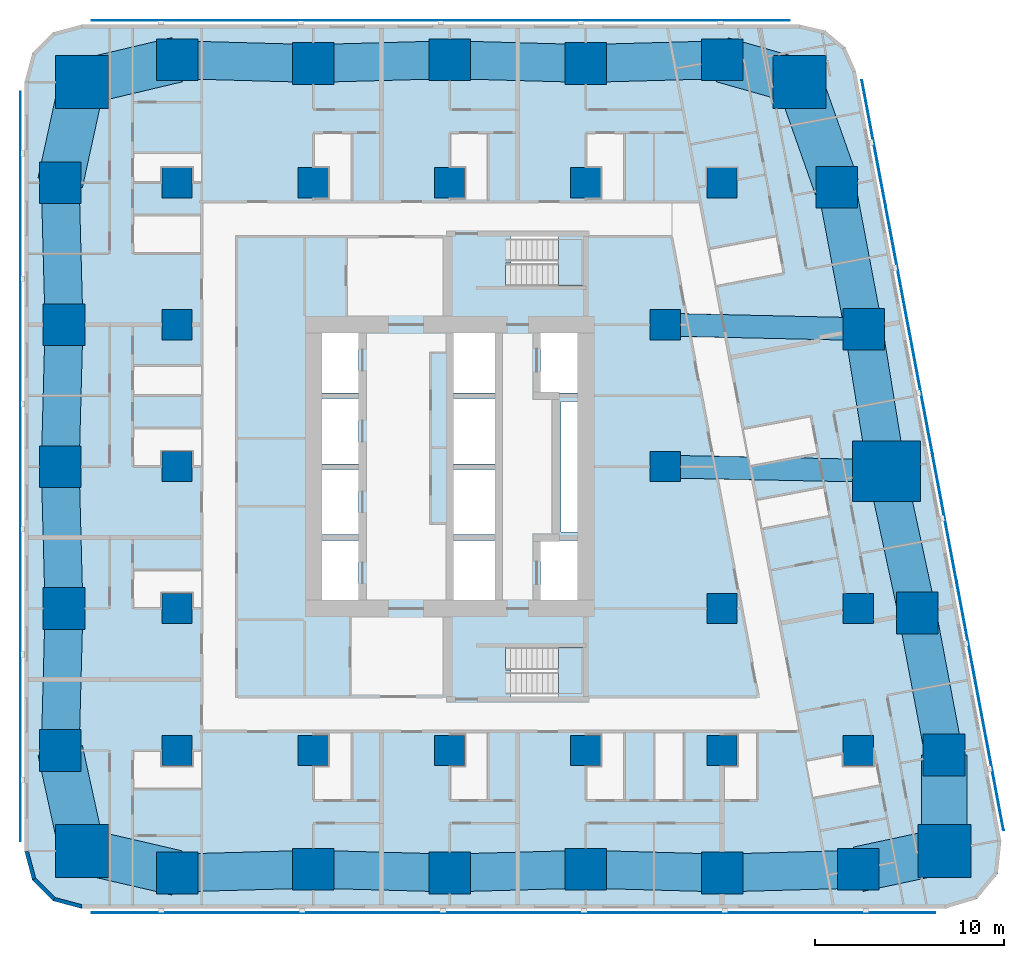
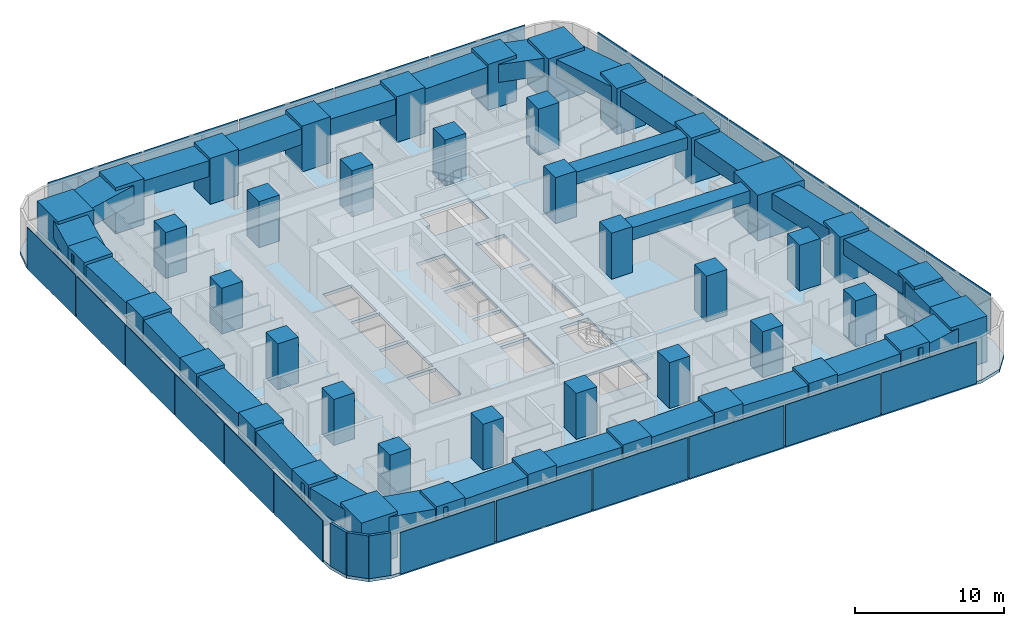
# One storey, part 1 of 16: 43 columns, 27 beams, 23 plates, 3 slabs, 3 walls, 2 elements without a shape of their own.
"""IFC4 building model written with IfcOpenShell, lengths in metres."""

import ifcopenshell
import ifcopenshell.guid

model = None  # the IFC model being written
_history = None  # IfcOwnerHistory: only IFC2X3 demands one
_inside = {}  # id of a spatial element -> (the spatial element, [elements in it])
_under = {}  # id of a project, library or spatial element -> (it, [spatial elements below it])
_declared = {}  # id of a project -> (the project, [libraries it declares])
_typed = {}  # id of a type object -> (the type object, [elements of that type])
_made_of = {}  # id of a material, layer set ... -> (it, [elements and type objects made of it])


def new_model(schema):
    """Start an empty IFC model of exactly this schema.

    Asked for "IFC4X3", IfcOpenShell would pick the latest addendum, in which some entities
    have other attributes; the version numbers below select the first issue.
    IFC2X3 requires an IfcOwnerHistory on every rooted entity: one is made here for all.
    """
    global model, _history
    if schema == "IFC4X3":
        model = ifcopenshell.file(schema_version=(4, 3, 0, 0))
    else:
        model = ifcopenshell.file(schema=schema)
    _inside.clear()
    _under.clear()
    _declared.clear()
    _typed.clear()
    _made_of.clear()
    _history = None
    if model.schema == "IFC2X3":
        org = make("IfcOrganization", Name="unknown")
        user = make(
            "IfcPersonAndOrganization",
            ThePerson=make("IfcPerson", FamilyName="unknown"),
            TheOrganization=org,
        )
        app = make(
            "IfcApplication",
            ApplicationDeveloper=org,
            Version="unknown",
            ApplicationFullName="unknown",
            ApplicationIdentifier="unknown",
        )
        _history = make(
            "IfcOwnerHistory",
            OwningUser=user,
            OwningApplication=app,
            ChangeAction="ADDED",
            CreationDate=0,
        )
    return model


def make(cls, **values):
    """One entity of the class cls with the attributes given. An attribute that is None is left unset."""
    return model.create_entity(
        cls, **{name: value for name, value in values.items() if value is not None}
    )


def rooted(cls, **values):
    """An entity with a GlobalId (a new one), such as an element, a storey or a relation."""
    return make(cls, GlobalId=ifcopenshell.guid.new(), OwnerHistory=_history, **values)


def si_unit(unit_type, name, prefix=None):
    """IfcSIUnit, for example si_unit("LENGTHUNIT", "METRE", prefix="MILLI")."""
    return make("IfcSIUnit", UnitType=unit_type, Prefix=prefix, Name=name)


def assignment(units):
    """IfcUnitAssignment: the units of a project."""
    return None if units is None else make("IfcUnitAssignment", Units=units)


def point(xyz):
    """IfcCartesianPoint."""
    return None if xyz is None else make("IfcCartesianPoint", Coordinates=xyz)


def direction(xyz):
    """IfcDirection."""
    return None if xyz is None else make("IfcDirection", DirectionRatios=xyz)


def frame(location, z_axis=None, x_axis=None):
    """IfcAxis2Placement3D, a coordinate frame: its origin and axes. An axis left out is left unset."""
    return make(
        "IfcAxis2Placement3D",
        Location=point(location),
        Axis=direction(z_axis),
        RefDirection=direction(x_axis),
    )


def frame_2d(location, x_axis=None):
    """IfcAxis2Placement2D, a coordinate frame in the plane: its origin and x axis."""
    return make(
        "IfcAxis2Placement2D", Location=point(location), RefDirection=direction(x_axis)
    )


def origin():
    """The frame at (0, 0, 0) with its axes left unset."""
    return frame((0.0, 0.0, 0.0))


def origin_2d():
    """The frame at (0, 0) in the plane with its x axis left unset."""
    return frame_2d((0.0, 0.0))


def place(relative_to, where):
    """IfcLocalPlacement: puts the frame where relative to a parent placement (None: the world)."""
    return make(
        "IfcLocalPlacement", PlacementRelTo=relative_to, RelativePlacement=where
    )


def context(
    kind, dimensions, precision=None, world=None, true_north=None, identifier=None
):
    """IfcGeometricRepresentationContext, for example the 3D "Model" context."""
    return make(
        "IfcGeometricRepresentationContext",
        ContextIdentifier=identifier,
        ContextType=kind,
        CoordinateSpaceDimension=dimensions,
        Precision=precision,
        WorldCoordinateSystem=world,
        TrueNorth=true_north,
    )


def subcontext(parent, identifier, kind, view, scale=None):
    """IfcGeometricRepresentationSubContext, for example "Body" below "Model"."""
    return make(
        "IfcGeometricRepresentationSubContext",
        ContextIdentifier=identifier,
        ContextType=kind,
        ParentContext=parent,
        TargetScale=scale,
        TargetView=view,
    )


def project(units=None, contexts=None):
    """IfcProject with its units and contexts."""
    return rooted(
        "IfcProject",
        Name="project",
        RepresentationContexts=contexts,
        UnitsInContext=assignment(units),
    )


def spatial(cls, under=None, at=None, **own):
    """A site, building, storey or space (cls), placed at a placement, below another one or the project."""
    s = rooted(cls, ObjectPlacement=at, **own)
    if under is not None:
        _under.setdefault(under.id(), (under, []))[1].append(s)
    return s


def polyline(points):
    """IfcPolyline through the points."""
    return make("IfcPolyline", Points=[point(p) for p in points])


def profile(cls, at=None, kind="AREA", **sizes):
    """A parametric profile (cls). Its sizes go by their IFC names, for example OverallWidth=200.0."""
    return make(cls, ProfileType=kind, Position=at, **sizes)


def rectangle(**sizes):
    """IfcRectangleProfileDef."""
    return profile("IfcRectangleProfileDef", **sizes)


def outline(outer, holes=None, kind="AREA"):
    """IfcArbitraryClosedProfileDef: a profile drawn as a closed curve; with holes, ...WithVoids."""
    if holes is None:
        return make("IfcArbitraryClosedProfileDef", ProfileType=kind, OuterCurve=outer)
    return make(
        "IfcArbitraryProfileDefWithVoids",
        ProfileType=kind,
        OuterCurve=outer,
        InnerCurves=holes,
    )


def extrude(swept, where, along, depth):
    """IfcExtrudedAreaSolid: the profile swept, set in the frame where, extruded along a direction by depth."""
    return make(
        "IfcExtrudedAreaSolid",
        SweptArea=swept,
        Position=where,
        ExtrudedDirection=direction(along),
        Depth=depth,
    )


def shape(context_of_items, identifier, shape_type, items):
    """IfcShapeRepresentation: the items that make up one representation, for example the "Body"."""
    return make(
        "IfcShapeRepresentation",
        ContextOfItems=context_of_items,
        RepresentationIdentifier=identifier,
        RepresentationType=shape_type,
        Items=items,
    )


def material(Name=None, Category=None):
    """IfcMaterial."""
    return make("IfcMaterial", Name=Name, Category=Category)


def layer(
    of_material, thickness, ventilated=None, Name=None, Category=None, Priority=None
):
    """IfcMaterialLayer: one layer of a wall or slab, of a material (None: an air gap)."""
    return make(
        "IfcMaterialLayer",
        Material=of_material,
        LayerThickness=thickness,
        IsVentilated=ventilated,
        Name=Name,
        Category=Category,
        Priority=Priority,
    )


def layer_set(layers, Name=None):
    """IfcMaterialLayerSet."""
    return make("IfcMaterialLayerSet", MaterialLayers=layers, LayerSetName=Name)


def material_profile(
    of_material, cross_section, Name=None, Category=None, Priority=None
):
    """IfcMaterialProfile: a cross section and its material."""
    return make(
        "IfcMaterialProfile",
        Name=Name,
        Material=of_material,
        Profile=cross_section,
        Priority=Priority,
        Category=Category,
    )


def profile_set(profiles, Name=None, composite=None):
    """IfcMaterialProfileSet."""
    return make(
        "IfcMaterialProfileSet",
        Name=Name,
        MaterialProfiles=profiles,
        CompositeProfile=composite,
    )


def made_of(thing, what):
    """Note that an element or type object is made of a material, layer set ...; save() writes the relation."""
    if what is not None:
        _made_of.setdefault(what.id(), (what, []))[1].append(thing)
    return thing


def type_object(cls, material=None, **own):
    """A type object (cls), such as IfcWallType, which elements share."""
    return made_of(rooted(cls, **own), material)


def element(
    cls,
    number,
    at=None,
    inside=None,
    cuts=None,
    type_object=None,
    material=None,
    context=None,
    identifier="Body",
    shape_type=None,
    held_by="IfcProductDefinitionShape",
    body=None,
    shapes=None,
    **own,
):
    """One element of the class cls, such as IfcWall. Its Tag is "e" and its number.

    at: its placement. inside: the storey or other place that contains it. cuts: it is an
    opening in that element (IfcRelVoidsElement). A single representation is given by context,
    identifier, shape_type and body (its items); several are given by shapes. held_by: the class
    of the entity that holds the representations. save() writes the other relations.
    """
    e = rooted(cls, Tag="e%d" % number, ObjectPlacement=at, **own)
    if body is not None:
        shapes = [shape(context, identifier, shape_type, body)]
    if shapes is not None:
        e.Representation = make(held_by, Representations=shapes)
    if inside is not None:
        _inside.setdefault(inside.id(), (inside, []))[1].append(e)
    if cuts is not None:
        rooted(
            "IfcRelVoidsElement", RelatingBuildingElement=cuts, RelatedOpeningElement=e
        )
    if type_object is not None:
        _typed.setdefault(type_object.id(), (type_object, []))[1].append(e)
    return made_of(e, material)


def aggregate(whole, parts):
    """IfcRelAggregates: a whole, such as a stair, and the parts it consists of."""
    return rooted("IfcRelAggregates", RelatingObject=whole, RelatedObjects=parts)


def save(model, path):
    """Write the relations noted so far, then the file.

    IfcRelAggregates (storeys below a building ...), IfcRelContainedInSpatialStructure (elements
    in a storey), IfcRelDefinesByType, IfcRelAssociatesMaterial and IfcRelDeclares: one each for
    every whole, place, type object, material and project.
    """
    for whole, parts in _under.values():
        aggregate(whole, parts)
    for where, things in _inside.values():
        rooted(
            "IfcRelContainedInSpatialStructure",
            RelatedElements=things,
            RelatingStructure=where,
        )
    for kind, things in _typed.values():
        rooted("IfcRelDefinesByType", RelatedObjects=things, RelatingType=kind)
    for what, things in _made_of.values():
        rooted("IfcRelAssociatesMaterial", RelatedObjects=things, RelatingMaterial=what)
    for by, libraries in _declared.values():
        rooted("IfcRelDeclares", RelatingContext=by, RelatedDefinitions=libraries)
    model.write(path)


model = new_model("IFC4")

# Units and contexts
model_context = context("Model", 3, precision=1e-05, world=origin(), true_north=direction((0.0, 1.0)))
body_context = subcontext(model_context, "Body", "Model", "MODEL_VIEW")
ifc_project = project(units=[si_unit("LENGTHUNIT", "METRE"), si_unit("AREAUNIT", "SQUARE_METRE"), si_unit("VOLUMEUNIT", "CUBIC_METRE"), si_unit("PLANEANGLEUNIT", "RADIAN"), si_unit("MASSUNIT", "GRAM", prefix="KILO")], contexts=[model_context])

# Site, building, storey
site_placement = place(None, origin())
site = spatial("IfcSite", under=ifc_project, at=site_placement, CompositionType="ELEMENT")
building_placement = place(site_placement, origin())
building = spatial("IfcBuilding", under=site, at=building_placement, Name="Sheger Commons Tower", CompositionType="ELEMENT")
storey_placement = place(building_placement, frame((0.0, 0.0, 89.14990234375)))
storey = spatial("IfcBuildingStorey", under=building, at=storey_placement, Name="L22", CompositionType="ELEMENT", Elevation=89.14990234375)

# Columns
ifc_material_1 = material(Name="Concrete C50/60", Category="concrete")
ifc_material_profile_1 = material_profile(ifc_material_1, rectangle(XDim=3.60009765625, YDim=3.199951171875, at=origin_2d()), Name="RC 3600x3200")
ifc_profile_set_1 = profile_set([ifc_material_profile_1], Name="Concrete C50/60")
column_type_1 = type_object("IfcColumnType", Name="COLUMN PIER RC 3600x3200", PredefinedType="COLUMN", material=ifc_profile_set_1)
column_placement = place(storey_placement, frame((44.697021484375, 22.262939453125, 0.0), z_axis=(0.0, 0.0, 1.0), x_axis=(1.0, 0.0, 0.0)))
element("IfcColumn", 1, at=column_placement, inside=storey, type_object=column_type_1, Name="Pier 7/D+E/D L22", PredefinedType="COLUMN", context=body_context, shape_type="SweptSolid", body=[
    extrude(rectangle(XDim=3.60009765625, YDim=3.199951171875, at=origin_2d()), origin(), (0.0, 0.0, 1.0), 3.75),
])
ifc_material_2 = material(Name="Concrete C50/60", Category="concrete")
ifc_material_profile_2 = material_profile(ifc_material_2, rectangle(XDim=1.60009765625, YDim=1.60009765625, at=origin_2d()), Name="RC 1600x1600")
ifc_profile_set_2 = profile_set([ifc_material_profile_2], Name="Concrete C50/60")
column_type_2 = type_object("IfcColumnType", Name="COLUMN RC 1600x1600", PredefinedType="COLUMN", material=ifc_profile_set_2)
for number, where, z_axis, x_axis, name in (
    (2, (7.199951171875, 7.5, 0.0), (0.0, 0.0, 1.0), (1.0, 0.0, 0.0), "Column 2/B L22"),
    (3, (14.39990234375, 7.5, 0.0), (0.0, 0.0, 1.0), (1.0, 0.0, 0.0), "Column 3/B L22"),
    (4, (21.60009765625, 7.5, 0.0), (0.0, 0.0, 1.0), (1.0, 0.0, 0.0), "Column 4/B L22"),
    (5, (28.800048828125, 7.5, 0.0), (0.0, 0.0, 1.0), (1.0, 0.0, 0.0), "Column 5/B L22"),
    (6, (36.0, 7.5, 0.0), (0.0, 0.0, 1.0), (1.0, 0.0, 0.0), "Column 6/B L22"),
    (7, (43.199951171875, 7.5, 0.0), (0.0, 0.0, 1.0), (1.0, 0.0, 0.0), "Column 7/B L22"),
    (8, (7.199951171875, 15.0, 0.0), (0.0, 0.0, 1.0), (1.0, 0.0, 0.0), "Column 2/C L22"),
    (9, (36.0, 15.0, 0.0), (0.0, 0.0, 1.0), (1.0, 0.0, 0.0), "Column 6/C L22"),
    (10, (43.199951171875, 15.0, 0.0), (0.0, 0.0, 1.0), (1.0, 0.0, 0.0), "Column 7/C L22"),
    (11, (7.199951171875, 22.5, 0.0), (0.0, 0.0, 1.0), (1.0, 0.0, 0.0), "Column 2/D L22"),
    (12, (33.0, 22.5, 0.0), (0.0, 0.0, 1.0), (1.0, 0.0, 0.0), "Column 6-3000/D L22"),
    (13, (7.199951171875, 30.0, 0.0), (0.0, 0.0, 1.0), (1.0, 0.0, 0.0), "Column 2/E L22"),
    (14, (33.0, 30.0, 0.0), (0.0, 0.0, 1.0), (1.0, 0.0, 0.0), "Column 6-3000/E L22"),
    (15, (7.199951171875, 37.5, 0.0), (0.0, 0.0, 1.0), (1.0, 0.0, 0.0), "Column 2/F L22"),
    (16, (14.39990234375, 37.5, 0.0), (0.0, 0.0, 1.0), (1.0, 0.0, 0.0), "Column 3/F L22"),
    (17, (21.60009765625, 37.5, 0.0), (0.0, 0.0, 1.0), (1.0, 0.0, 0.0), "Column 4/F L22"),
    (18, (28.800048828125, 37.5, 0.0), (0.0, 0.0, 1.0), (1.0, 0.0, 0.0), "Column 5/F L22"),
    (19, (36.0, 37.5, 0.0), (0.0, 0.0, 1.0), (1.0, 0.0, 0.0), "Column 6/F L22"),
):
    element("IfcColumn", number, at=place(storey_placement, frame(where, z_axis=z_axis, x_axis=x_axis)), inside=storey, type_object=column_type_2, Name=name, PredefinedType="COLUMN", context=body_context, shape_type="SweptSolid", body=[
        extrude(rectangle(XDim=1.60009765625, YDim=1.60009765625, at=origin_2d()), origin(), (0.0, 0.0, 1.0), 3.75),
    ])
ifc_material_3 = material(Name="Concrete C50/60", Category="concrete")
ifc_material_profile_3 = material_profile(ifc_material_3, rectangle(XDim=2.199951171875, YDim=2.199951171875, at=origin_2d()), Name="RC 2200x2200")
ifc_profile_set_3 = profile_set([ifc_material_profile_3], Name="Concrete C50/60")
column_type_3 = type_object("IfcColumnType", Name="COLUMN RC 2200x2200", PredefinedType="COLUMN", material=ifc_profile_set_3)
for number, where, z_axis, x_axis, name in (
    (20, (7.199951171875, 1.02490234375, 0.0), (0.0, 0.0, 1.0), (1.0, 0.0, 0.0), "Column 2/A L22"),
    (21, (14.39990234375, 1.22509765625, 0.0), (0.0, 0.0, 1.0), (1.0, 0.0, 0.0), "Column 3/A L22"),
    (22, (21.60009765625, 1.02490234375, 0.0), (0.0, 0.0, 1.0), (1.0, 0.0, 0.0), "Column 4/A L22"),
    (23, (28.800048828125, 1.22509765625, 0.0), (0.0, 0.0, 1.0), (1.0, 0.0, 0.0), "Column 5/A L22"),
    (24, (36.0, 1.02490234375, 0.0), (0.0, 0.0, 1.0), (1.0, 0.0, 0.0), "Column 6/A L22"),
    (25, (43.199951171875, 1.22509765625, 0.0), (0.0, 0.0, 1.0), (1.0, 0.0, 0.0), "Column 7/A L22"),
    (26, (1.02490234375, 7.5, 0.0), (0.0, 0.0, 1.0), (1.0, 0.0, 0.0), "Column 1/B L22"),
    (27, (47.72998046875, 7.262939453125, 0.0), (0.0, 0.0, 1.0), (1.0, 0.0, 0.0), "Column E/B L22"),
    (28, (1.22509765625, 15.0, 0.0), (0.0, 0.0, 1.0), (1.0, 0.0, 0.0), "Column 1/C L22"),
    (29, (46.31396484375, 14.762939453125, 0.0), (0.0, 0.0, 1.0), (1.0, 0.0, 0.0), "Column E/C L22"),
    (30, (1.02490234375, 22.5, 0.0), (0.0, 0.0, 1.0), (1.0, 0.0, 0.0), "Column 1/D L22"),
    (31, (1.22509765625, 30.0, 0.0), (0.0, 0.0, 1.0), (1.0, 0.0, 0.0), "Column 1/E L22"),
    (32, (43.47998046875, 29.762939453125, 0.0), (0.0, 0.0, 1.0), (1.0, 0.0, 0.0), "Column E/E L22"),
    (33, (1.02490234375, 37.5, 0.0), (0.0, 0.0, 1.0), (1.0, 0.0, 0.0), "Column 1/F L22"),
    (34, (42.06396484375, 37.262939453125, 0.0), (0.0, 0.0, 1.0), (1.0, 0.0, 0.0), "Column E/F L22"),
    (35, (7.199951171875, 44.0, 0.0), (0.0, 0.0, 1.0), (1.0, 0.0, 0.0), "Column 2/G L22"),
    (36, (14.39990234375, 43.800048828125, 0.0), (0.0, 0.0, 1.0), (1.0, 0.0, 0.0), "Column 3/G L22"),
    (37, (21.60009765625, 44.0, 0.0), (0.0, 0.0, 1.0), (1.0, 0.0, 0.0), "Column 4/G L22"),
    (38, (28.800048828125, 43.800048828125, 0.0), (0.0, 0.0, 1.0), (1.0, 0.0, 0.0), "Column 5/G L22"),
    (39, (36.0, 44.0, 0.0), (0.0, 0.0, 1.0), (1.0, 0.0, 0.0), "Column 6/G L22"),
):
    element("IfcColumn", number, at=place(storey_placement, frame(where, z_axis=z_axis, x_axis=x_axis)), inside=storey, type_object=column_type_3, Name=name, PredefinedType="COLUMN", context=body_context, shape_type="SweptSolid", body=[
        extrude(rectangle(XDim=2.199951171875, YDim=2.199951171875, at=origin_2d()), origin(), (0.0, 0.0, 1.0), 3.75),
    ])
ifc_material_4 = material(Name="Concrete C50/60", Category="concrete")
ifc_material_profile_4 = material_profile(ifc_material_4, rectangle(XDim=2.800048828125, YDim=2.800048828125, at=origin_2d()), Name="RC 2800x2800")
ifc_profile_set_4 = profile_set([ifc_material_profile_4], Name="Concrete C50/60")
column_type_4 = type_object("IfcColumnType", Name="COLUMN RC 2800x2800", PredefinedType="COLUMN", material=ifc_profile_set_4)
for number, where, z_axis, x_axis, name in (
    (40, (2.18603515625, 2.18603515625, 0.0), (0.0, 0.0, 1.0), (1.0, 0.0, 0.0), "Column 0.630,0.630 L22"),
    (41, (47.748046875, 2.197021484375, 0.0), (0.0, 0.0, 1.0), (1.0, 0.0, 0.0), "Column 49.461,0.778 L22"),
    (42, (2.18603515625, 42.81396484375, 0.0), (0.0, 0.0, 1.0), (1.0, 0.0, 0.0), "Column 0.630,44.370 L22"),
    (43, (40.10205078125, 42.830078125, 0.0), (0.0, 0.0, 1.0), (1.0, 0.0, 0.0), "Column 41.490,44.505 L22"),
):
    element("IfcColumn", number, at=place(storey_placement, frame(where, z_axis=z_axis, x_axis=x_axis)), inside=storey, type_object=column_type_4, Name=name, PredefinedType="COLUMN", context=body_context, shape_type="SweptSolid", body=[
        extrude(rectangle(XDim=2.800048828125, YDim=2.800048828125, at=origin_2d()), origin(), (0.0, 0.0, 1.0), 3.75),
    ])

# Beams
ifc_material_5 = material(Name="Concrete C50/60", Category="concrete")
ifc_material_profile_5 = material_profile(ifc_material_5, rectangle(XDim=1.199951171875, YDim=1.0, at=origin_2d()), Name="RC 1200x1000")
ifc_profile_set_5 = profile_set([ifc_material_profile_5], Name="Concrete C50/60")
beam_type_1 = type_object("IfcBeamType", Name="BEAM RC 1200x1000", PredefinedType="BEAM", material=ifc_profile_set_5)
beam_1_placement = place(storey_placement, frame((33.0, 22.5, 3.0), z_axis=(0.999794692776, -0.02026258368, 0.0), x_axis=(0.02026258368, 0.999794692776, 0.0)))
element("IfcBeam", 44, at=beam_1_placement, inside=storey, type_object=beam_type_1, Name="Beam 6-3000/D-7/D under L23", PredefinedType="BEAM", context=body_context, shape_type="SweptSolid", body=[
    extrude(rectangle(XDim=1.199951171875, YDim=1.0, at=origin_2d()), origin(), (0.0, 0.0, 1.0), 11.699462890625),
])
beam_2_placement = place(storey_placement, frame((33.0, 30.0, 3.0), z_axis=(0.999744258625, -0.022614538395, 0.0), x_axis=(0.022614538395, 0.999744258625, 0.0)))
element("IfcBeam", 45, at=beam_2_placement, inside=storey, type_object=beam_type_1, Name="Beam 6-3000/E-E/E under L23", PredefinedType="BEAM", context=body_context, shape_type="SweptSolid", body=[
    extrude(rectangle(XDim=1.199951171875, YDim=1.0, at=origin_2d()), origin(), (0.0, 0.0, 1.0), 10.482666015625),
])
ifc_material_6 = material(Name="Concrete C50/60", Category="concrete")
ifc_material_profile_6 = material_profile(ifc_material_6, rectangle(XDim=2.0, YDim=1.300048828125, at=origin_2d()), Name="RC 2000x1300")
ifc_profile_set_6 = profile_set([ifc_material_profile_6], Name="Concrete C50/60")
beam_type_2 = type_object("IfcBeamType", Name="SPANDREL RC 2000x1300", PredefinedType="SPANDREL", material=ifc_profile_set_6)
beam_3_placement = place(storey_placement, frame((7.199951171875, 1.02490234375, 2.85009765625), z_axis=(0.9996136624, 0.027794350926, 0.0), x_axis=(-0.027794350926, 0.9996136624, 0.0)))
element("IfcBeam", 46, at=beam_3_placement, inside=storey, type_object=beam_type_2, Name="Beam 2/A-3/A under L23", PredefinedType="SPANDREL", context=body_context, shape_type="SweptSolid", body=[
    extrude(rectangle(XDim=2.0, YDim=1.300048828125, at=origin_2d()), origin(), (0.0, 0.0, 1.0), 7.20263671875),
])
beam_4_placement = place(storey_placement, frame((14.39990234375, 1.22509765625, 2.85009765625), z_axis=(0.999613688584, -0.027793409217, 0.0), x_axis=(0.027793409217, 0.999613688584, 0.0)))
element("IfcBeam", 47, at=beam_4_placement, inside=storey, type_object=beam_type_2, Name="Beam 3/A-4/A under L23", PredefinedType="SPANDREL", context=body_context, shape_type="SweptSolid", body=[
    extrude(rectangle(XDim=2.0, YDim=1.300048828125, at=origin_2d()), origin(), (0.0, 0.0, 1.0), 7.202880859375),
])
for number, where, z_axis, x_axis, name in (
    (48, (21.60009765625, 1.02490234375, 2.85009765625), (0.9996136624, 0.027794350926, 0.0), (-0.027794350926, 0.9996136624, 0.0), "Beam 4/A-5/A under L23"),
    (49, (28.800048828125, 1.22509765625, 2.85009765625), (0.9996136624, -0.027794350926, 0.0), (0.027794350926, 0.9996136624, 0.0), "Beam 5/A-6/A under L23"),
    (50, (36.0, 1.02490234375, 2.85009765625), (0.9996136624, 0.027794350926, 0.0), (-0.027794350926, 0.9996136624, 0.0), "Beam 6/A-7/A under L23"),
):
    element("IfcBeam", number, at=place(storey_placement, frame(where, z_axis=z_axis, x_axis=x_axis)), inside=storey, type_object=beam_type_2, Name=name, PredefinedType="SPANDREL", context=body_context, shape_type="SweptSolid", body=[
        extrude(rectangle(XDim=2.0, YDim=1.300048828125, at=origin_2d()), origin(), (0.0, 0.0, 1.0), 7.20263671875),
    ])
beam_5_placement = place(storey_placement, frame((47.72998046875, 7.262939453125, 2.85009765625), z_axis=(-0.18552441405, 0.982639655108, 0.0), x_axis=(-0.982639655108, -0.18552441405, 0.0)))
element("IfcBeam", 51, at=beam_5_placement, inside=storey, type_object=beam_type_2, Name="Beam E/B-E/C under L23", PredefinedType="SPANDREL", context=body_context, shape_type="SweptSolid", body=[
    extrude(rectangle(XDim=2.0, YDim=1.300048828125, at=origin_2d()), origin(), (0.0, 0.0, 1.0), 7.632568359375),
])
beam_6_placement = place(storey_placement, frame((46.31396484375, 14.762939453125, 2.85009765625), z_axis=(-0.210750229323, 0.977539943348, 0.0), x_axis=(-0.977539943348, -0.210750229323, 0.0)))
element("IfcBeam", 52, at=beam_6_placement, inside=storey, type_object=beam_type_2, Name="Beam E/C-E/D under L23", PredefinedType="SPANDREL", context=body_context, shape_type="SweptSolid", body=[
    extrude(rectangle(XDim=2.0, YDim=1.300048828125, at=origin_2d()), origin(), (0.0, 0.0, 1.0), 7.67236328125),
])
beam_7_placement = place(storey_placement, frame((44.697021484375, 22.262939453125, 2.85009765625), z_axis=(-0.160176929512, 0.987088319884, 0.0), x_axis=(-0.987088319884, -0.160176929512, 0.0)))
element("IfcBeam", 53, at=beam_7_placement, inside=storey, type_object=beam_type_2, Name="Beam E/D-E/E under L23", PredefinedType="SPANDREL", context=body_context, shape_type="SweptSolid", body=[
    extrude(rectangle(XDim=2.0, YDim=1.300048828125, at=origin_2d()), origin(), (0.0, 0.0, 1.0), 7.59814453125),
])
beam_8_placement = place(storey_placement, frame((43.47998046875, 29.762939453125, 2.85009765625), z_axis=(-0.18552441405, 0.982639655108, 0.0), x_axis=(-0.982639655108, -0.18552441405, 0.0)))
element("IfcBeam", 54, at=beam_8_placement, inside=storey, type_object=beam_type_2, Name="Beam E/E-E/F under L23", PredefinedType="SPANDREL", context=body_context, shape_type="SweptSolid", body=[
    extrude(rectangle(XDim=2.0, YDim=1.300048828125, at=origin_2d()), origin(), (0.0, 0.0, 1.0), 7.632568359375),
])
for number, where, z_axis, x_axis, name in (
    (55, (36.0, 44.0, 2.85009765625), (-0.999614603568, -0.027760481514, 0.0), (0.027760481514, -0.999614603568, 0.0), "Beam 6/G-5/G under L23"),
    (56, (28.800048828125, 43.800048828125, 2.85009765625), (-0.999614603568, 0.027760481514, 0.0), (-0.027760481514, -0.999614603568, 0.0), "Beam 5/G-4/G under L23"),
):
    element("IfcBeam", number, at=place(storey_placement, frame(where, z_axis=z_axis, x_axis=x_axis)), inside=storey, type_object=beam_type_2, Name=name, PredefinedType="SPANDREL", context=body_context, shape_type="SweptSolid", body=[
        extrude(rectangle(XDim=2.0, YDim=1.300048828125, at=origin_2d()), origin(), (0.0, 0.0, 1.0), 7.20263671875),
    ])
beam_9_placement = place(storey_placement, frame((21.60009765625, 44.0, 2.85009765625), z_axis=(-0.999614629688, -0.027759540951, 0.0), x_axis=(0.027759540951, -0.999614629688, 0.0)))
element("IfcBeam", 57, at=beam_9_placement, inside=storey, type_object=beam_type_2, Name="Beam 4/G-3/G under L23", PredefinedType="SPANDREL", context=body_context, shape_type="SweptSolid", body=[
    extrude(rectangle(XDim=2.0, YDim=1.300048828125, at=origin_2d()), origin(), (0.0, 0.0, 1.0), 7.202880859375),
])
beam_10_placement = place(storey_placement, frame((14.39990234375, 43.800048828125, 2.85009765625), z_axis=(-0.999614603568, 0.027760481514, 0.0), x_axis=(-0.027760481514, -0.999614603568, 0.0)))
element("IfcBeam", 58, at=beam_10_placement, inside=storey, type_object=beam_type_2, Name="Beam 3/G-2/G under L23", PredefinedType="SPANDREL", context=body_context, shape_type="SweptSolid", body=[
    extrude(rectangle(XDim=2.0, YDim=1.300048828125, at=origin_2d()), origin(), (0.0, 0.0, 1.0), 7.20263671875),
])
for number, where, z_axis, x_axis, name in (
    (59, (1.02490234375, 37.5, 2.85009765625), (0.026683204125, -0.999643939919, 0.0), (0.999643939919, 0.026683204125, 0.0), "Beam 1/F-1/E under L23"),
    (60, (1.22509765625, 30.0, 2.85009765625), (-0.026683204125, -0.999643939919, 0.0), (0.999643939919, -0.026683204125, 0.0), "Beam 1/E-1/D under L23"),
    (61, (1.02490234375, 22.5, 2.85009765625), (0.026683204125, -0.999643939919, 0.0), (0.999643939919, 0.026683204125, 0.0), "Beam 1/D-1/C under L23"),
    (62, (1.22509765625, 15.0, 2.85009765625), (-0.026683204125, -0.999643939919, 0.0), (0.999643939919, -0.026683204125, 0.0), "Beam 1/C-1/B under L23"),
):
    element("IfcBeam", number, at=place(storey_placement, frame(where, z_axis=z_axis, x_axis=x_axis)), inside=storey, type_object=beam_type_2, Name=name, PredefinedType="SPANDREL", context=body_context, shape_type="SweptSolid", body=[
        extrude(rectangle(XDim=2.0, YDim=1.300048828125, at=origin_2d()), origin(), (0.0, 0.0, 1.0), 7.502685546875),
    ])
ifc_material_7 = material(Name="Concrete C50/60", Category="concrete")
ifc_material_profile_7 = material_profile(ifc_material_7, rectangle(XDim=2.39990234375, YDim=1.449951171875, at=origin_2d()), Name="RC 2400x1450")
ifc_profile_set_7 = profile_set([ifc_material_profile_7], Name="Concrete C50/60")
beam_type_3 = type_object("IfcBeamType", Name="SPANDREL RC 2400x1450", PredefinedType="SPANDREL", material=ifc_profile_set_7)
beam_11_placement = place(storey_placement, frame((2.18603515625, 2.18603515625, 2.775146484375), z_axis=(0.974217413499, -0.225611239159, 0.0), x_axis=(0.225611239159, 0.974217413499, 0.0)))
element("IfcBeam", 63, at=beam_11_placement, inside=storey, type_object=beam_type_3, Name="Beam 0.630,0.630-2/A under L23", PredefinedType="SPANDREL", context=body_context, shape_type="SweptSolid", body=[
    extrude(rectangle(XDim=2.39990234375, YDim=1.449951171875, at=origin_2d()), origin(), (0.0, 0.0, 1.0), 5.146728515625),
])
beam_12_placement = place(storey_placement, frame((43.199951171875, 1.22509765625, 2.775146484375), z_axis=(0.977919796671, 0.208980552394, 0.0), x_axis=(-0.208980552394, 0.977919796671, 0.0)))
element("IfcBeam", 64, at=beam_12_placement, inside=storey, type_object=beam_type_3, Name="Beam 7/A-49.461,0.778 under L23", PredefinedType="SPANDREL", context=body_context, shape_type="SweptSolid", body=[
    extrude(rectangle(XDim=2.39990234375, YDim=1.449951171875, at=origin_2d()), origin(), (0.0, 0.0, 1.0), 4.65087890625),
])
beam_13_placement = place(storey_placement, frame((47.748046875, 2.197021484375, 2.775146484375), z_axis=(-0.003566242382, 0.999993640937, 0.0), x_axis=(-0.999993640937, -0.003566242382, 0.0)))
element("IfcBeam", 65, at=beam_13_placement, inside=storey, type_object=beam_type_3, Name="Beam 49.461,0.778-E/B under L23", PredefinedType="SPANDREL", context=body_context, shape_type="SweptSolid", body=[
    extrude(rectangle(XDim=2.39990234375, YDim=1.449951171875, at=origin_2d()), origin(), (0.0, 0.0, 1.0), 5.06591796875),
])
beam_14_placement = place(storey_placement, frame((42.06396484375, 37.262939453125, 2.775146484375), z_axis=(-0.332374403357, 0.943147526102, 0.0), x_axis=(-0.943147526102, -0.332374403357, 0.0)))
element("IfcBeam", 66, at=beam_14_placement, inside=storey, type_object=beam_type_3, Name="Beam E/F-41.490,44.505 under L23", PredefinedType="SPANDREL", context=body_context, shape_type="SweptSolid", body=[
    extrude(rectangle(XDim=2.39990234375, YDim=1.449951171875, at=origin_2d()), origin(), (0.0, 0.0, 1.0), 5.90283203125),
])
beam_15_placement = place(storey_placement, frame((40.10205078125, 42.830078125, 2.775146484375), z_axis=(-0.961653428129, 0.274267541221, 0.0), x_axis=(-0.274267541221, -0.961653428129, 0.0)))
element("IfcBeam", 67, at=beam_15_placement, inside=storey, type_object=beam_type_3, Name="Beam 41.490,44.505-6/G under L23", PredefinedType="SPANDREL", context=body_context, shape_type="SweptSolid", body=[
    extrude(rectangle(XDim=2.39990234375, YDim=1.449951171875, at=origin_2d()), origin(), (0.0, 0.0, 1.0), 4.265625),
])
beam_16_placement = place(storey_placement, frame((7.199951171875, 44.0, 2.775146484375), z_axis=(-0.97314428949, -0.230195985701, 0.0), x_axis=(0.230195985701, -0.97314428949, 0.0)))
element("IfcBeam", 68, at=beam_16_placement, inside=storey, type_object=beam_type_3, Name="Beam 2/G-0.630,44.370 under L23", PredefinedType="SPANDREL", context=body_context, shape_type="SweptSolid", body=[
    extrude(rectangle(XDim=2.39990234375, YDim=1.449951171875, at=origin_2d()), origin(), (0.0, 0.0, 1.0), 5.15234375),
])
for number, where, z_axis, x_axis, name in (
    (69, (2.18603515625, 42.81396484375, 2.775146484375), (-0.213469314652, -0.976949769283, 0.0), (0.976949769283, -0.213469314652, 0.0), "Beam 0.630,44.370-1/F under L23"),
    (70, (1.02490234375, 7.5, 2.775146484375), (0.213469314652, -0.976949769283, 0.0), (0.976949769283, 0.213469314652, 0.0), "Beam 1/B-0.630,0.630 under L23"),
):
    element("IfcBeam", number, at=place(storey_placement, frame(where, z_axis=z_axis, x_axis=x_axis)), inside=storey, type_object=beam_type_3, Name=name, PredefinedType="SPANDREL", context=body_context, shape_type="SweptSolid", body=[
        extrude(rectangle(XDim=2.39990234375, YDim=1.449951171875, at=origin_2d()), origin(), (0.0, 0.0, 1.0), 5.439453125),
    ])

# Slab
ifc_material_8 = material(Name="Concrete C35/45", Category="concrete")
ifc_layer_1 = layer(ifc_material_8, 0.25)
ifc_layer_set_1 = layer_set([ifc_layer_1], Name="SLAB FLOOR 250")
slab_type_1 = type_object("IfcSlabType", Name="SLAB FLOOR 250", PredefinedType="FLOOR", material=ifc_layer_set_1)
slab_1_placement = place(storey_placement, frame((0.0, 0.0, -0.25)))
element("IfcSlab", 71, at=slab_1_placement, inside=storey, type_object=slab_type_1, Name="L22 floor slab", PredefinedType="FLOOR", context=body_context, shape_type="SweptSolid", body=[
    extrude(outline(polyline([(-0.85009765625, 2.14990234375), (-0.447998046875, 0.64990234375), (0.64990234375, -0.447998046875), (2.14990234375, -0.85009765625), (47.805908203125, -0.85009765625), (49.465087890625, -0.35009765625), (50.570068359375, 0.98388671875), (50.75390625, 2.70703125), (43.06591796875, 43.406982421875), (42.509033203125, 44.660888671875), (41.452880859375, 45.535888671875), (40.117919921875, 45.85009765625), (2.14990234375, 45.85009765625), (0.64990234375, 45.447998046875), (-0.447998046875, 44.35009765625), (-0.85009765625, 42.85009765625), (-0.85009765625, 2.14990234375)]), holes=[polyline([(24.85009765625, 10.35009765625), (28.64990234375, 10.35009765625), (28.64990234375, 12.949951171875), (24.551025390625, 12.949951171875), (24.551025390625, 11.75), (24.85009765625, 11.75), (24.85009765625, 10.35009765625)]), polyline([(24.551025390625, 32.050048828125), (28.64990234375, 32.050048828125), (28.64990234375, 34.64990234375), (24.85009765625, 34.64990234375), (24.85009765625, 33.25), (24.551025390625, 33.25), (24.551025390625, 32.050048828125)]), polyline([(26.39990234375, 15.14990234375), (28.60009765625, 15.14990234375), (28.60009765625, 18.60009765625), (26.39990234375, 18.60009765625), (26.39990234375, 15.14990234375)]), polyline([(26.39990234375, 26.39990234375), (28.60009765625, 26.39990234375), (28.60009765625, 29.85009765625), (26.39990234375, 29.85009765625), (26.39990234375, 26.39990234375)]), polyline([(14.60009765625, 15.14990234375), (16.800048828125, 15.14990234375), (16.800048828125, 18.60009765625), (14.60009765625, 18.60009765625), (14.60009765625, 15.14990234375)]), polyline([(14.60009765625, 18.89990234375), (16.800048828125, 18.89990234375), (16.800048828125, 22.35009765625), (14.60009765625, 22.35009765625), (14.60009765625, 18.89990234375)]), polyline([(14.60009765625, 22.64990234375), (16.800048828125, 22.64990234375), (16.800048828125, 26.10009765625), (14.60009765625, 26.10009765625), (14.60009765625, 22.64990234375)]), polyline([(14.60009765625, 26.39990234375), (16.800048828125, 26.39990234375), (16.800048828125, 29.85009765625), (14.60009765625, 29.85009765625), (14.60009765625, 26.39990234375)]), polyline([(21.800048828125, 15.14990234375), (24.0, 15.14990234375), (24.0, 18.60009765625), (21.800048828125, 18.60009765625), (21.800048828125, 15.14990234375)]), polyline([(21.800048828125, 18.89990234375), (24.0, 18.89990234375), (24.0, 22.35009765625), (21.800048828125, 22.35009765625), (21.800048828125, 18.89990234375)]), polyline([(21.800048828125, 22.64990234375), (24.0, 22.64990234375), (24.0, 26.10009765625), (21.800048828125, 26.10009765625), (21.800048828125, 22.64990234375)]), polyline([(21.800048828125, 26.39990234375), (24.0, 26.39990234375), (24.0, 29.85009765625), (21.800048828125, 29.85009765625), (21.800048828125, 26.39990234375)]), polyline([(27.5, 19.050048828125), (28.5, 19.050048828125), (28.5, 25.949951171875), (27.5, 25.949951171875), (27.5, 19.050048828125)])]), origin(), (0.0, 0.0, 1.0), 0.25),
])

# Plates
ifc_material_9 = material(Name="Perforated black anodised aluminium screen", Category="aluminium")
ifc_layer_2 = layer(ifc_material_9, 0.050048828125)
ifc_layer_set_2 = layer_set([ifc_layer_2], Name="SOLAR SCREEN SCREEN-1")
plate_type = type_object("IfcPlateType", Name="SOLAR SCREEN SCREEN-1", PredefinedType="USERDEFINED", material=ifc_layer_set_2)
for number, where, z_axis, x_axis, name in (
    (72, (6.37109375, -1.074951171875, 0.050048828125), (0.0, 0.0, 1.0), (1.0, 0.0, 0.0), "Perforated solar screen panel"),
    (73, (13.81396484375, -1.074951171875, 0.050048828125), (0.0, 0.0, 1.0), (1.0, 0.0, 0.0), "Perforated solar screen panel"),
    (74, (21.257080078125, -1.074951171875, 0.050048828125), (0.0, 0.0, 1.0), (1.0, 0.0, 0.0), "Perforated solar screen panel"),
    (75, (28.698974609375, -1.074951171875, 0.050048828125), (0.0, 0.0, 1.0), (1.0, 0.0, 0.0), "Perforated solar screen panel"),
    (76, (36.14208984375, -1.074951171875, 0.050048828125), (0.0, 0.0, 1.0), (1.0, 0.0, 0.0), "Perforated solar screen panel"),
    (77, (43.5849609375, -1.074951171875, 0.050048828125), (0.0, 0.0, 1.0), (1.0, 0.0, 0.0), "Perforated solar screen panel"),
):
    element("IfcPlate", number, at=place(storey_placement, frame(where, z_axis=z_axis, x_axis=x_axis)), inside=storey, type_object=plate_type, Name=name, ObjectType="SCREEN", PredefinedType="USERDEFINED", context=body_context, shape_type="SweptSolid", body=[
        extrude(rectangle(XDim=7.343017578125, YDim=0.050048828125, at=origin_2d()), origin(), (0.0, 0.0, 1.0), 3.39990234375),
    ])
for number, where, z_axis, x_axis, name in (
    (78, (50.257080078125, 6.550048828125, 0.050048828125), (0.0, 0.0, 1.0), (-0.185615165645, 0.982622516678, 0.0), "Perforated solar screen panel"),
    (79, (49.007080078125, 13.1689453125, 0.050048828125), (0.0, 0.0, 1.0), (-0.185615165645, 0.982622516678, 0.0), "Perforated solar screen panel"),
    (80, (47.756103515625, 19.7890625, 0.050048828125), (0.0, 0.0, 1.0), (-0.185615165645, 0.982622516678, 0.0), "Perforated solar screen panel"),
    (81, (46.506103515625, 26.408935546875, 0.050048828125), (0.0, 0.0, 1.0), (-0.185615165645, 0.982622516678, 0.0), "Perforated solar screen panel"),
    (82, (45.2548828125, 33.028076171875, 0.050048828125), (0.0, 0.0, 1.0), (-0.185615165645, 0.982622516678, 0.0), "Perforated solar screen panel"),
    (83, (44.0048828125, 39.64794921875, 0.050048828125), (0.0, 0.0, 1.0), (-0.185615165645, 0.982622516678, 0.0), "Perforated solar screen panel"),
):
    element("IfcPlate", number, at=place(storey_placement, frame(where, z_axis=z_axis, x_axis=x_axis)), inside=storey, type_object=plate_type, Name=name, ObjectType="SCREEN", PredefinedType="USERDEFINED", context=body_context, shape_type="SweptSolid", body=[
        extrude(rectangle(XDim=6.636962890625, YDim=0.050048828125, at=origin_2d()), origin(), (0.0, 0.0, 1.0), 3.39990234375),
    ])
for number, where, z_axis, x_axis, name in (
    (84, (35.9208984375, 46.074951171875, 0.050048828125), (0.0, 0.0, 1.0), (-1.0, 0.0, 0.0), "Perforated solar screen panel"),
    (85, (28.528076171875, 46.074951171875, 0.050048828125), (0.0, 0.0, 1.0), (-1.0, 0.0, 0.0), "Perforated solar screen panel"),
    (86, (21.134033203125, 46.074951171875, 0.050048828125), (0.0, 0.0, 1.0), (-1.0, 0.0, 0.0), "Perforated solar screen panel"),
    (87, (13.739990234375, 46.074951171875, 0.050048828125), (0.0, 0.0, 1.0), (-1.0, 0.0, 0.0), "Perforated solar screen panel"),
    (88, (6.346923828125, 46.074951171875, 0.050048828125), (0.0, 0.0, 1.0), (-1.0, 0.0, 0.0), "Perforated solar screen panel"),
):
    element("IfcPlate", number, at=place(storey_placement, frame(where, z_axis=z_axis, x_axis=x_axis)), inside=storey, type_object=plate_type, Name=name, ObjectType="SCREEN", PredefinedType="USERDEFINED", context=body_context, shape_type="SweptSolid", body=[
        extrude(rectangle(XDim=7.2939453125, YDim=0.050048828125, at=origin_2d()), origin(), (0.0, 0.0, 1.0), 3.39990234375),
    ])
for number, where, z_axis, x_axis, name in (
    (89, (-1.074951171875, 39.0419921875, 0.050048828125), (0.0, 0.0, 1.0), (0.0, -1.0, 0.0), "Perforated solar screen panel"),
    (90, (-1.074951171875, 32.425048828125, 0.050048828125), (0.0, 0.0, 1.0), (0.0, -1.0, 0.0), "Perforated solar screen panel"),
    (91, (-1.074951171875, 25.80810546875, 0.050048828125), (0.0, 0.0, 1.0), (0.0, -1.0, 0.0), "Perforated solar screen panel"),
    (92, (-1.074951171875, 19.19189453125, 0.050048828125), (0.0, 0.0, 1.0), (0.0, -1.0, 0.0), "Perforated solar screen panel"),
    (93, (-1.074951171875, 12.574951171875, 0.050048828125), (0.0, 0.0, 1.0), (0.0, -1.0, 0.0), "Perforated solar screen panel"),
    (94, (-1.074951171875, 5.9580078125, 0.050048828125), (0.0, 0.0, 1.0), (0.0, -1.0, 0.0), "Perforated solar screen panel"),
):
    element("IfcPlate", number, at=place(storey_placement, frame(where, z_axis=z_axis, x_axis=x_axis)), inside=storey, type_object=plate_type, Name=name, ObjectType="SCREEN", PredefinedType="USERDEFINED", context=body_context, shape_type="SweptSolid", body=[
        extrude(rectangle(XDim=6.51708984375, YDim=0.050048828125, at=origin_2d()), origin(), (0.0, 0.0, 1.0), 3.39990234375),
    ])

# Stair, slab
ifc_material_10 = material(Name="Concrete C35/45", Category="concrete")
stair_type = type_object("IfcStairType", Name="HALF-TURN STAIR 1200 RISE 3750", PredefinedType="HALF_TURN_STAIR", material=ifc_material_10)
stair_1_placement = place(storey_placement, origin())
stair_1 = element("IfcStair", 95, at=stair_1_placement, inside=storey, type_object=stair_type, Name="Stair S1 L22", PredefinedType="HALF_TURN_STAIR")
ifc_material_11 = material(Name="Concrete C35/45", Category="concrete")
ifc_layer_3 = layer(ifc_material_11, 0.199951171875)
ifc_layer_set_3 = layer_set([ifc_layer_3], Name="STAIR LANDING 200")
slab_type_2 = type_object("IfcSlabType", Name="STAIR LANDING 200", PredefinedType="LANDING", material=ifc_layer_set_3)
slab_2_placement = place(storey_placement, frame((0.0, 0.0, 1.675048828125)))
slab_2 = element("IfcSlab", 96, at=slab_2_placement, type_object=slab_type_2, Name="S1 landing 1", PredefinedType="LANDING", context=body_context, shape_type="SweptSolid", body=[
    extrude(outline(polyline([(27.35009765625, 10.199951171875), (28.800048828125, 10.199951171875), (28.800048828125, 12.949951171875), (27.35009765625, 12.949951171875), (27.35009765625, 10.199951171875)])), origin(), (0.0, 0.0, 1.0), 0.199951171875),
])
aggregate(stair_1, [slab_2])

stair_2_placement = place(storey_placement, origin())
stair_2 = element("IfcStair", 97, at=stair_2_placement, inside=storey, type_object=stair_type, Name="Stair S2 L22", PredefinedType="HALF_TURN_STAIR")
slab_3_placement = place(storey_placement, frame((0.0, 0.0, 1.675048828125)))
slab_3 = element("IfcSlab", 98, at=slab_3_placement, type_object=slab_type_2, Name="S2 landing 1", PredefinedType="LANDING", context=body_context, shape_type="SweptSolid", body=[
    extrude(outline(polyline([(27.35009765625, 32.050048828125), (28.800048828125, 32.050048828125), (28.800048828125, 34.800048828125), (27.35009765625, 34.800048828125), (27.35009765625, 32.050048828125)])), origin(), (0.0, 0.0, 1.0), 0.199951171875),
])
aggregate(stair_2, [slab_3])

# Walls
ifc_material_12 = material(Name="Rendered concrete block masonry, dark grey", Category="masonry")
ifc_layer_4 = layer(ifc_material_12, 0.199951171875)
ifc_layer_set_4 = layer_set([ifc_layer_4], Name="FACADE WALL 200")
wall_type = type_object("IfcWallType", Name="FACADE WALL 200", PredefinedType="SOLIDWALL", material=ifc_layer_set_4)
wall_1_placement = place(storey_placement, frame((-0.75, 2.1630859375, 0.0), z_axis=(0.0, 0.0, 1.0), x_axis=(0.259168954497, -0.965832000415, 0.0)))
element("IfcWall", 99, at=wall_1_placement, inside=storey, type_object=wall_type, Name="Facade wall L22", PredefinedType="SOLIDWALL", context=body_context, shape_type="SweptSolid", body=[
    extrude(rectangle(XDim=1.512939453125, YDim=0.199951171875, at=frame_2d((0.75634765625, 0.0))), origin(), (0.0, 0.0, 1.0), 3.5),
])
wall_2_placement = place(storey_placement, frame((-0.35791015625, 0.701904296875, 0.0), z_axis=(0.0, 0.0, 1.0), x_axis=(0.707106781187, -0.707106781187, 0.0)))
element("IfcWall", 100, at=wall_2_placement, inside=storey, type_object=wall_type, Name="Facade wall L22", PredefinedType="SOLIDWALL", context=body_context, shape_type="SweptSolid", body=[
    extrude(rectangle(XDim=1.498779296875, YDim=0.199951171875, at=frame_2d((0.74951171875, 0.0))), origin(), (0.0, 0.0, 1.0), 3.5),
])
wall_3_placement = place(storey_placement, frame((0.701904296875, -0.35791015625, 0.0), z_axis=(0.0, 0.0, 1.0), x_axis=(0.965832000415, -0.259168954497, 0.0)))
element("IfcWall", 101, at=wall_3_placement, inside=storey, type_object=wall_type, Name="Facade wall L22", PredefinedType="SOLIDWALL", context=body_context, shape_type="SweptSolid", body=[
    extrude(rectangle(XDim=1.512939453125, YDim=0.199951171875, at=frame_2d((0.75634765625, 0.0))), origin(), (0.0, 0.0, 1.0), 3.5),
])

save(model, "model.ifc")
